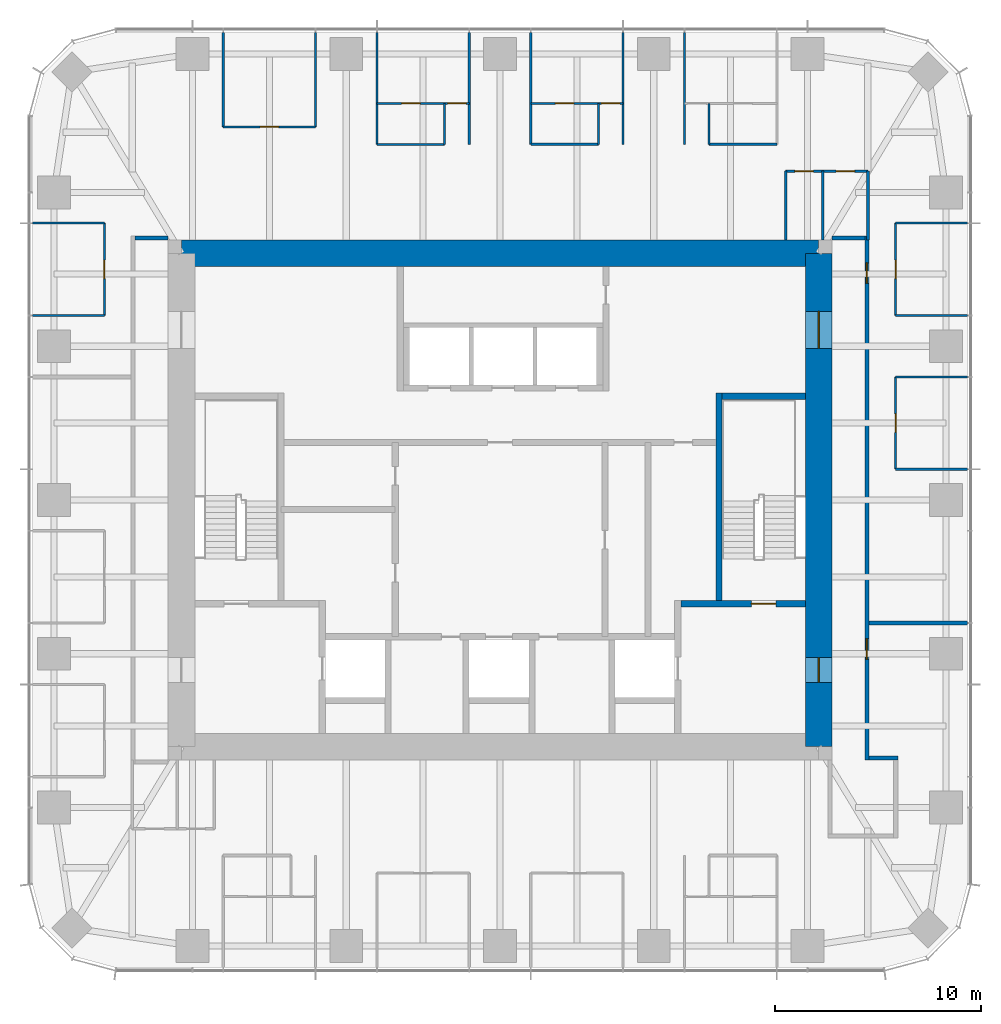
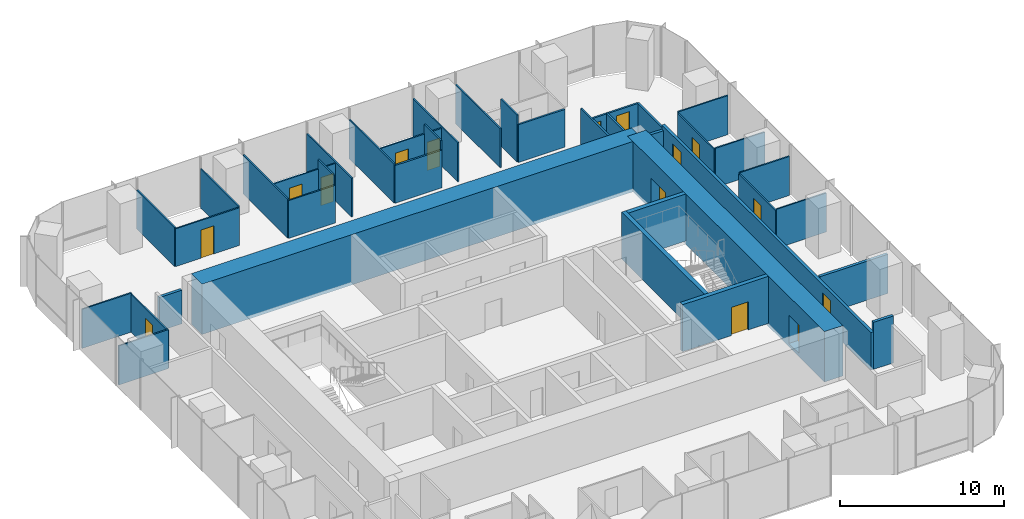
# One storey, part 10 of 12: 39 walls, 15 doors, 15 openings.
"""IFC4 building model written with IfcOpenShell, lengths in metres."""

from ifc_helpers import new_model, si_unit, direction, frame, frame_2d, origin, place, context, subcontext, project, spatial, rectangle, extrude, material, layer, layer_set, type_object, element, fill, save


model = new_model("IFC4")

# Units and contexts
model_context = context("Model", 3, precision=1e-05, world=origin(), true_north=direction((0.0, 1.0)))
body_context = subcontext(model_context, "Body", "Model", "MODEL_VIEW")
ifc_project = project(units=[si_unit("LENGTHUNIT", "METRE"), si_unit("AREAUNIT", "SQUARE_METRE"), si_unit("VOLUMEUNIT", "CUBIC_METRE"), si_unit("PLANEANGLEUNIT", "RADIAN"), si_unit("MASSUNIT", "GRAM", prefix="KILO")], contexts=[model_context])

# Site, building, storey
site_placement = place(None, origin())
site = spatial("IfcSite", under=ifc_project, at=site_placement, CompositionType="ELEMENT")
building_placement = place(site_placement, origin())
building = spatial("IfcBuilding", under=site, at=building_placement, Name="Khuree Lantern Residences", CompositionType="ELEMENT")
storey_placement = place(building_placement, frame((0.0, 0.0, 345.75)))
storey = spatial("IfcBuildingStorey", under=building, at=storey_placement, Name="L87", CompositionType="ELEMENT", Elevation=345.75)

# Walls
ifc_material_1 = material(Name="Moisture-resistant gypsum board on steel studs", Category="steel")
ifc_layer_1 = layer(ifc_material_1, 0.125)
ifc_layer_set_1 = layer_set([ifc_layer_1], Name="BATHROOM WALL BTW125")
wall_type_1 = type_object("IfcWallType", Name="BATHROOM WALL BTW125", PredefinedType="PARTITIONING", material=ifc_layer_set_1)
wall_1_placement = place(storey_placement, frame((13.464111328125, 17.29638671875, 0.0), z_axis=(0.0, 0.0, 1.0), x_axis=(-1.0, 0.0, 0.0)))
element("IfcWall", 1, at=wall_1_placement, inside=storey, type_object=wall_type_1, Name="L87 BATHROOM WALL 01", PredefinedType="PARTITIONING", context=body_context, shape_type="SweptSolid", body=[
    extrude(rectangle(XDim=3.2880859375, YDim=0.125, at=frame_2d((1.64404296875, 0.0))), origin(), (0.0, 0.0, 1.0), 2.81005859375),
])
wall_2_placement = place(storey_placement, frame((4.783935546875, 17.29638671875, 0.0), z_axis=(0.0, 0.0, 1.0), x_axis=(-1.0, 0.0, 0.0)))
element("IfcWall", 2, at=wall_2_placement, inside=storey, type_object=wall_type_1, Name="L87 BATHROOM WALL 01", PredefinedType="PARTITIONING", context=body_context, shape_type="SweptSolid", body=[
    extrude(rectangle(XDim=3.287841796875, YDim=0.125, at=frame_2d((1.64404296875, 0.0))), origin(), (0.0, 0.0, 1.0), 2.81005859375),
])

# Wall, openings, doors
wall_3_placement = place(storey_placement, frame((17.89990234375, 15.996337890625, 0.0), z_axis=(0.0, 0.0, 1.0), x_axis=(-1.0, 0.0, 0.0)))
wall_3 = element("IfcWall", 3, at=wall_3_placement, inside=storey, type_object=wall_type_1, Name="L87 BATHROOM WALL 01", PredefinedType="PARTITIONING", context=body_context, shape_type="SweptSolid", body=[
    extrude(rectangle(XDim=4.0, YDim=0.125, at=frame_2d((2.0, 0.0))), origin(), (0.0, 0.0, 1.0), 2.5),
])
opening_1_placement = place(wall_3_placement, frame((0.64990234375, 0.0, 0.0)))
opening_1 = element("IfcOpeningElement", 4, at=opening_1_placement, cuts=wall_3, Name="Opening 87-031", PredefinedType="OPENING", context=body_context, shape_type="SweptSolid", body=[
    extrude(rectangle(XDim=0.89990234375, YDim=2.10009765625, at=frame_2d((0.449951171875, 1.050048828125))), frame((0.0, 0.072509765625, 0.0), z_axis=(0.0, -1.0, 0.0), x_axis=(1.0, 0.0, 0.0)), (0.0, 0.0, 1.0), 0.14501953125),
])
opening_2_placement = place(wall_3_placement, frame((2.64990234375, 0.0, 0.0)))
opening_2 = element("IfcOpeningElement", 5, at=opening_2_placement, cuts=wall_3, Name="Opening 87-032", PredefinedType="OPENING", context=body_context, shape_type="SweptSolid", body=[
    extrude(rectangle(XDim=0.89990234375, YDim=2.10009765625, at=frame_2d((0.449951171875, 1.050048828125))), frame((0.0, 0.072509765625, 0.0), z_axis=(0.0, -1.0, 0.0), x_axis=(1.0, 0.0, 0.0)), (0.0, 0.0, 1.0), 0.14501953125),
])
ifc_material_2 = material(Name="Timber door leaf in hardwood frame", Category="wood")
door_type_1 = type_object("IfcDoorType", Name="BATHROOM DOOR 900X2100", OperationType="SINGLE_SWING_LEFT", PredefinedType="DOOR", material=ifc_material_2)
door_1_placement = place(opening_1_placement, origin())
door_1 = element("IfcDoor", 6, at=door_1_placement, inside=storey, type_object=door_type_1, Name="Bathroom door 87-031", OperationType="SINGLE_SWING_LEFT", OverallHeight=2.10009765625, OverallWidth=0.89990234375, PredefinedType="DOOR", context=body_context, shape_type="SweptSolid", body=[
    extrude(rectangle(XDim=0.89990234375, YDim=2.10009765625, at=frame_2d((0.449951171875, 1.050048828125))), frame((0.0, 0.02490234375, 0.0), z_axis=(0.0, -1.0, 0.0), x_axis=(1.0, 0.0, 0.0)), (0.0, 0.0, 1.0), 0.050048828125),
])
fill(opening_1, door_1)
door_type_2 = type_object("IfcDoorType", Name="DOOR 900X2100", OperationType="SINGLE_SWING_LEFT", PredefinedType="DOOR", material=ifc_material_2)
door_2_placement = place(opening_2_placement, origin())
door_2 = element("IfcDoor", 7, at=door_2_placement, inside=storey, type_object=door_type_2, Name="Store door 87-032", OperationType="SINGLE_SWING_LEFT", OverallHeight=2.10009765625, OverallWidth=0.89990234375, PredefinedType="DOOR", context=body_context, shape_type="SweptSolid", body=[
    extrude(rectangle(XDim=0.89990234375, YDim=2.10009765625, at=frame_2d((0.449951171875, 1.050048828125))), frame((0.0, 0.02490234375, 0.0), z_axis=(0.0, -1.0, 0.0), x_axis=(1.0, 0.0, 0.0)), (0.0, 0.0, 1.0), 0.050048828125),
])
fill(opening_2, door_2)

# Walls
for number, where, z_axis, x_axis, name in (
    (8, (17.89990234375, 12.64990234375, 0.0), (0.0, 0.0, 1.0), (0.0, 1.0, 0.0), "L87 BATHROOM WALL 01"),
    (9, (15.699951171875, 12.64990234375, 0.0), (0.0, 0.0, 1.0), (0.0, 1.0, 0.0), "L87 BATHROOM WALL 01"),
):
    element("IfcWall", number, at=place(storey_placement, frame(where, z_axis=z_axis, x_axis=x_axis)), inside=storey, type_object=wall_type_1, Name=name, PredefinedType="PARTITIONING", context=body_context, shape_type="SweptSolid", body=[
        extrude(rectangle(XDim=3.346435546875, YDim=0.125, at=frame_2d((1.67333984375, 0.0))), origin(), (0.0, 0.0, 1.0), 2.5),
    ])
wall_4_placement = place(storey_placement, frame((13.89990234375, 12.64990234375, 0.0), z_axis=(0.0, 0.0, 1.0), x_axis=(0.0, 1.0, 0.0)))
element("IfcWall", 10, at=wall_4_placement, inside=storey, type_object=wall_type_1, Name="L87 BATHROOM WALL 01", PredefinedType="PARTITIONING", context=body_context, shape_type="SweptSolid", body=[
    extrude(rectangle(XDim=3.346435546875, YDim=0.125, at=frame_2d((1.67333984375, 0.0))), origin(), (0.0, 0.0, 1.0), 3.5),
])
ifc_material_3 = material(Name="Gypsum board on steel studs", Category="steel")
ifc_layer_2 = layer(ifc_material_3, 0.199951171875)
ifc_layer_set_2 = layer_set([ifc_layer_2], Name="CORRIDOR WALL CRW200 EI 60")
wall_type_2 = type_object("IfcWallType", Name="CORRIDOR WALL CRW200 EI 60", PredefinedType="PARTITIONING", material=ifc_layer_set_2)
wall_5_placement = place(storey_placement, frame((17.949951171875, -12.550048828125, 0.0), z_axis=(0.0, 0.0, 1.0), x_axis=(1.0, 0.0, 0.0)))
element("IfcWall", 11, at=wall_5_placement, inside=storey, type_object=wall_type_2, Name="L87 RESIDENTS LOUNGE WALL", PredefinedType="PARTITIONING", context=body_context, shape_type="SweptSolid", body=[
    extrude(rectangle(XDim=1.400146484375, YDim=0.199951171875, at=frame_2d((0.7001953125, 0.0))), origin(), (0.0, 0.0, 1.0), 3.5),
])
for number, where, z_axis, x_axis, name in (
    (12, (16.14990234375, 12.75, 0.0), (0.0, 0.0, 1.0), (1.0, 0.0, 0.0), "L87 EAST CORRIDOR NORTH END WALL"),
    (13, (-16.14990234375, 12.75, 0.0), (0.0, 0.0, 1.0), (-1.0, 0.0, 0.0), "L87 WEST CORRIDOR NORTH END WALL"),
):
    element("IfcWall", number, at=place(storey_placement, frame(where, z_axis=z_axis, x_axis=x_axis)), inside=storey, type_object=wall_type_2, Name=name, PredefinedType="PARTITIONING", context=body_context, shape_type="SweptSolid", body=[
        extrude(rectangle(XDim=1.60009765625, YDim=0.199951171875, at=frame_2d((0.800048828125, 0.0))), origin(), (0.0, 0.0, 1.0), 2.5),
    ])

# Wall, openings, doors
wall_6_placement = place(storey_placement, frame((17.85009765625, -12.64990234375, 0.0), z_axis=(0.0, 0.0, 1.0), x_axis=(0.0, 1.0, 0.0)))
wall_6 = element("IfcWall", 14, at=wall_6_placement, inside=storey, type_object=wall_type_2, Name="L87 CORRIDOR WALL EAST 1", PredefinedType="PARTITIONING", context=body_context, shape_type="SweptSolid", body=[
    extrude(rectangle(XDim=25.5, YDim=0.199951171875, at=frame_2d((12.75, 0.0))), origin(), (0.0, 0.0, 1.0), 2.81005859375),
])
opening_3_placement = place(wall_6_placement, frame((23.18603515625, 0.0, 0.0)))
opening_3 = element("IfcOpeningElement", 15, at=opening_3_placement, cuts=wall_6, Name="Opening 87-033", PredefinedType="OPENING", context=body_context, shape_type="SweptSolid", body=[
    extrude(rectangle(XDim=1.0, YDim=2.199951171875, at=frame_2d((0.5, 1.10009765625))), frame((0.0, 0.10986328125, 0.0), z_axis=(0.0, -1.0, 0.0), x_axis=(1.0, 0.0, 0.0)), (0.0, 0.0, 1.0), 0.219970703125),
])
opening_4_placement = place(wall_6_placement, frame((4.89990234375, 0.0, 0.0)))
opening_4 = element("IfcOpeningElement", 16, at=opening_4_placement, cuts=wall_6, Name="Opening 87-044", PredefinedType="OPENING", context=body_context, shape_type="SweptSolid", body=[
    extrude(rectangle(XDim=1.0, YDim=2.199951171875, at=frame_2d((0.5, 1.10009765625))), frame((0.0, 0.10986328125, 0.0), z_axis=(0.0, -1.0, 0.0), x_axis=(1.0, 0.0, 0.0)), (0.0, 0.0, 1.0), 0.219970703125),
])
door_type_3 = type_object("IfcDoorType", Name="APARTMENT ENTRANCE DOOR 1000X2200 EI 30S", OperationType="SINGLE_SWING_LEFT", PredefinedType="DOOR", material=ifc_material_2)
door_3_placement = place(opening_4_placement, origin())
door_3 = element("IfcDoor", 17, at=door_3_placement, inside=storey, type_object=door_type_3, Name="Apartment 02 entrance door 87-044", OperationType="SINGLE_SWING_LEFT", OverallHeight=2.199951171875, OverallWidth=1.0, PredefinedType="DOOR", context=body_context, shape_type="SweptSolid", body=[
    extrude(rectangle(XDim=1.0, YDim=2.199951171875, at=frame_2d((0.5, 1.10009765625))), frame((0.0, 0.02490234375, 0.0), z_axis=(0.0, -1.0, 0.0), x_axis=(1.0, 0.0, 0.0)), (0.0, 0.0, 1.0), 0.050048828125),
])
fill(opening_4, door_3)
door_type_4 = type_object("IfcDoorType", Name="APARTMENT ENTRANCE DOOR 1000X2200 EI 30S RIGHT HAND", OperationType="SINGLE_SWING_RIGHT", PredefinedType="DOOR", material=ifc_material_2)
door_4_placement = place(opening_3_placement, origin())
door_4 = element("IfcDoor", 18, at=door_4_placement, inside=storey, type_object=door_type_4, Name="Apartment 01 entrance door 87-033", OperationType="SINGLE_SWING_RIGHT", OverallHeight=2.199951171875, OverallWidth=1.0, PredefinedType="DOOR", context=body_context, shape_type="SweptSolid", body=[
    extrude(rectangle(XDim=1.0, YDim=2.199951171875, at=frame_2d((0.5, 1.10009765625))), frame((0.0, 0.02490234375, 0.0), z_axis=(0.0, -1.0, 0.0), x_axis=(1.0, 0.0, 0.0)), (0.0, 0.0, 1.0), 0.050048828125),
])
fill(opening_3, door_4)

ifc_material_4 = material(Name="Concrete C50/60", Category="concrete")
ifc_layer_3 = layer(ifc_material_4, 1.300048828125)
ifc_layer_set_3 = layer_set([ifc_layer_3], Name="CW1300-C50 CORE WALL C50 1300")
wall_type_3 = type_object("IfcWallType", Name="CW1300-C50 CORE WALL C50 1300", PredefinedType="SHEAR", material=ifc_layer_set_3)
wall_7_placement = place(storey_placement, frame((15.5, -12.0, -0.25), z_axis=(0.0, 0.0, 1.0), x_axis=(0.0, 1.0, 0.0)))
wall_7 = element("IfcWall", 19, at=wall_7_placement, inside=storey, type_object=wall_type_3, Name="Core wall E", PredefinedType="SHEAR", context=body_context, shape_type="SweptSolid", body=[
    extrude(rectangle(XDim=24.0, YDim=1.300048828125, at=frame_2d((12.0, 0.0))), origin(), (0.0, 0.0, 1.0), 3.75),
])
opening_5_placement = place(wall_7_placement, frame((3.125, 0.0, 0.25)))
opening_5 = element("IfcOpeningElement", 20, at=opening_5_placement, cuts=wall_7, Name="Opening 87-005", PredefinedType="OPENING", context=body_context, shape_type="SweptSolid", body=[
    extrude(rectangle(XDim=1.199951171875, YDim=2.10009765625, at=frame_2d((0.60009765625, 1.050048828125))), frame((0.0, 0.66015625, 0.0), z_axis=(0.0, -1.0, 0.0), x_axis=(1.0, 0.0, 0.0)), (0.0, 0.0, 1.0), 1.320068359375),
])
opening_6_placement = place(wall_7_placement, frame((19.375, 0.0, 0.25)))
opening_6 = element("IfcOpeningElement", 21, at=opening_6_placement, cuts=wall_7, Name="Opening 87-006", PredefinedType="OPENING", context=body_context, shape_type="SweptSolid", body=[
    extrude(rectangle(XDim=1.800048828125, YDim=2.10009765625, at=frame_2d((0.89990234375, 1.050048828125))), frame((0.0, 0.66015625, 0.0), z_axis=(0.0, -1.0, 0.0), x_axis=(1.0, 0.0, 0.0)), (0.0, 0.0, 1.0), 1.320068359375),
])
ifc_material_5 = material(Name="Steel door leaf in steel frame", Category="steel")
door_type_5 = type_object("IfcDoorType", Name="LOBBY DOOR 1200X2100 EI 120", OperationType="SINGLE_SWING_LEFT", PredefinedType="DOOR", material=ifc_material_5)
door_5_placement = place(opening_5_placement, origin())
door_5 = element("IfcDoor", 22, at=door_5_placement, inside=storey, type_object=door_type_5, Name="Firefighting lobby door 87-005", OperationType="SINGLE_SWING_LEFT", OverallHeight=2.10009765625, OverallWidth=1.199951171875, PredefinedType="DOOR", context=body_context, shape_type="SweptSolid", body=[
    extrude(rectangle(XDim=1.199951171875, YDim=2.10009765625, at=frame_2d((0.60009765625, 1.050048828125))), frame((0.0, 0.02490234375, 0.0), z_axis=(0.0, -1.0, 0.0), x_axis=(1.0, 0.0, 0.0)), (0.0, 0.0, 1.0), 0.050048828125),
])
fill(opening_5, door_5)
door_type_6 = type_object("IfcDoorType", Name="LOBBY DOUBLE DOOR 1800X2100 EI 60", OperationType="DOUBLE_DOOR_SINGLE_SWING", PredefinedType="DOOR", material=ifc_material_5)
door_6_placement = place(opening_6_placement, origin())
door_6 = element("IfcDoor", 23, at=door_6_placement, inside=storey, type_object=door_type_6, Name="Lift lobby door 87-006", OperationType="DOUBLE_DOOR_SINGLE_SWING", OverallHeight=2.10009765625, OverallWidth=1.800048828125, PredefinedType="DOOR", context=body_context, shape_type="SweptSolid", body=[
    extrude(rectangle(XDim=1.800048828125, YDim=2.10009765625, at=frame_2d((0.89990234375, 1.050048828125))), frame((0.0, 0.02490234375, 0.0), z_axis=(0.0, -1.0, 0.0), x_axis=(1.0, 0.0, 0.0)), (0.0, 0.0, 1.0), 0.050048828125),
])
fill(opening_6, door_6)

# Walls
wall_8_placement = place(storey_placement, frame((-15.5, 12.0, -0.25), z_axis=(0.0, 0.0, 1.0), x_axis=(1.0, 0.0, 0.0)))
element("IfcWall", 24, at=wall_8_placement, inside=storey, type_object=wall_type_3, Name="Core wall N", PredefinedType="SHEAR", context=body_context, shape_type="SweptSolid", body=[
    extrude(rectangle(XDim=31.0, YDim=1.300048828125, at=frame_2d((15.5, 0.0))), origin(), (0.0, 0.0, 1.0), 3.75),
])
ifc_layer_4 = layer(ifc_material_3, 0.199951171875)
ifc_layer_set_4 = layer_set([ifc_layer_4], Name="DEMISING WALL DMW200 EI 90")
wall_type_4 = type_object("IfcWallType", Name="DEMISING WALL DMW200 EI 90", PredefinedType="PARTITIONING", material=ifc_layer_set_4)
wall_9_placement = place(storey_placement, frame((17.949951171875, -5.98388671875, 0.0), z_axis=(0.0, 0.0, 1.0), x_axis=(1.0, 0.0, 0.0)))
element("IfcWall", 25, at=wall_9_placement, inside=storey, type_object=wall_type_4, Name="L87 DEMISING WALL 01", PredefinedType="PARTITIONING", context=body_context, shape_type="SweptSolid", body=[
    extrude(rectangle(XDim=4.800048828125, YDim=0.199951171875, at=frame_2d((2.39990234375, 0.0))), origin(), (0.0, 0.0, 1.0), 2.909912109375),
])
ifc_layer_5 = layer(ifc_material_3, 0.10009765625)
ifc_layer_set_5 = layer_set([ifc_layer_5], Name="PARTITION PT100")
wall_type_5 = type_object("IfcWallType", Name="PARTITION PT100", PredefinedType="PARTITIONING", material=ifc_layer_set_5)
for number, where, z_axis, x_axis, name in (
    (26, (19.25, 1.49609375, 0.0), (0.0, 0.0, 1.0), (1.0, 0.0, 0.0), "L87 PARTITION 01"),
    (27, (19.25, 5.98388671875, 0.0), (0.0, 0.0, 1.0), (1.0, 0.0, 0.0), "L87 PARTITION 01"),
    (28, (19.25, 8.97607421875, 0.0), (0.0, 0.0, 1.0), (1.0, 0.0, 0.0), "L87 PARTITION 01"),
    (29, (19.25, 13.464111328125, 0.0), (0.0, 0.0, 1.0), (1.0, 0.0, 0.0), "L87 PARTITION 01"),
):
    element("IfcWall", number, at=place(storey_placement, frame(where, z_axis=z_axis, x_axis=x_axis)), inside=storey, type_object=wall_type_5, Name=name, PredefinedType="PARTITIONING", context=body_context, shape_type="SweptSolid", body=[
        extrude(rectangle(XDim=3.5, YDim=0.10009765625, at=frame_2d((1.75, 0.0))), origin(), (0.0, 0.0, 1.0), 2.909912109375),
    ])
for number, where, z_axis, x_axis, name in (
    (30, (8.97607421875, 17.29638671875, 0.0), (0.0, 0.0, 1.0), (0.0, 1.0, 0.0), "L87 PARTITION 01"),
    (31, (5.98388671875, 17.29638671875, 0.0), (0.0, 0.0, 1.0), (0.0, 1.0, 0.0), "L87 PARTITION 01"),
    (32, (1.49609375, 17.29638671875, 0.0), (0.0, 0.0, 1.0), (0.0, 1.0, 0.0), "L87 PARTITION 01"),
    (33, (-1.49609375, 17.29638671875, 0.0), (0.0, 0.0, 1.0), (0.0, 1.0, 0.0), "L87 PARTITION 01"),
    (34, (-5.98388671875, 17.29638671875, 0.0), (0.0, 0.0, 1.0), (0.0, 1.0, 0.0), "L87 PARTITION 01"),
):
    element("IfcWall", number, at=place(storey_placement, frame(where, z_axis=z_axis, x_axis=x_axis)), inside=storey, type_object=wall_type_5, Name=name, PredefinedType="PARTITIONING", context=body_context, shape_type="SweptSolid", body=[
        extrude(rectangle(XDim=5.45361328125, YDim=0.10009765625, at=frame_2d((2.726806640625, 0.0))), origin(), (0.0, 0.0, 1.0), 2.909912109375),
    ])
for number, where, z_axis, x_axis, name in (
    (35, (-8.97607421875, 18.14990234375, 0.0), (0.0, 0.0, 1.0), (0.0, 1.0, 0.0), "L87 PARTITION 01"),
    (36, (-13.464111328125, 18.14990234375, 0.0), (0.0, 0.0, 1.0), (0.0, 1.0, 0.0), "L87 PARTITION 01"),
):
    element("IfcWall", number, at=place(storey_placement, frame(where, z_axis=z_axis, x_axis=x_axis)), inside=storey, type_object=wall_type_5, Name=name, PredefinedType="PARTITIONING", context=body_context, shape_type="SweptSolid", body=[
        extrude(rectangle(XDim=4.60009765625, YDim=0.10009765625, at=frame_2d((2.300048828125, 0.0))), origin(), (0.0, 0.0, 1.0), 2.909912109375),
    ])
for number, where, z_axis, x_axis, name in (
    (37, (-19.25, 13.464111328125, 0.0), (0.0, 0.0, 1.0), (-1.0, 0.0, 0.0), "L87 PARTITION 01"),
    (38, (-19.25, 8.97607421875, 0.0), (0.0, 0.0, 1.0), (-1.0, 0.0, 0.0), "L87 PARTITION 01"),
):
    element("IfcWall", number, at=place(storey_placement, frame(where, z_axis=z_axis, x_axis=x_axis)), inside=storey, type_object=wall_type_5, Name=name, PredefinedType="PARTITIONING", context=body_context, shape_type="SweptSolid", body=[
        extrude(rectangle(XDim=3.5, YDim=0.10009765625, at=frame_2d((1.75, 0.0))), origin(), (0.0, 0.0, 1.0), 2.909912109375),
    ])

# Wall, opening, door
wall_10_placement = place(storey_placement, frame((19.25, 1.49609375, 0.0), z_axis=(0.0, 0.0, 1.0), x_axis=(0.0, 1.0, 0.0)))
wall_10 = element("IfcWall", 39, at=wall_10_placement, inside=storey, type_object=wall_type_5, Name="L87 PARTITION 01", PredefinedType="PARTITIONING", context=body_context, shape_type="SweptSolid", body=[
    extrude(rectangle(XDim=4.48779296875, YDim=0.10009765625, at=frame_2d((2.243896484375, 0.0))), origin(), (0.0, 0.0, 1.0), 2.81005859375),
])
opening_7_placement = place(wall_10_placement, frame((1.7939453125, 0.0, 0.0)))
opening_7 = element("IfcOpeningElement", 40, at=opening_7_placement, cuts=wall_10, Name="Opening 87-021", PredefinedType="OPENING", context=body_context, shape_type="SweptSolid", body=[
    extrude(rectangle(XDim=0.89990234375, YDim=2.10009765625, at=frame_2d((0.449951171875, 1.050048828125))), frame((0.0, 0.06005859375, 0.0), z_axis=(0.0, -1.0, 0.0), x_axis=(1.0, 0.0, 0.0)), (0.0, 0.0, 1.0), 0.1201171875),
])
door_type_7 = type_object("IfcDoorType", Name="BEDROOM DOOR 900X2100", OperationType="SINGLE_SWING_LEFT", PredefinedType="DOOR", material=ifc_material_2)
door_7_placement = place(opening_7_placement, origin())
door_7 = element("IfcDoor", 41, at=door_7_placement, inside=storey, type_object=door_type_7, Name="Bedroom door 87-021", OperationType="SINGLE_SWING_LEFT", OverallHeight=2.10009765625, OverallWidth=0.89990234375, PredefinedType="DOOR", context=body_context, shape_type="SweptSolid", body=[
    extrude(rectangle(XDim=0.89990234375, YDim=2.10009765625, at=frame_2d((0.449951171875, 1.050048828125))), frame((0.0, 0.02490234375, 0.0), z_axis=(0.0, -1.0, 0.0), x_axis=(1.0, 0.0, 0.0)), (0.0, 0.0, 1.0), 0.050048828125),
])
fill(opening_7, door_7)

wall_11_placement = place(storey_placement, frame((19.25, 8.97607421875, 0.0), z_axis=(0.0, 0.0, 1.0), x_axis=(0.0, 1.0, 0.0)))
wall_11 = element("IfcWall", 42, at=wall_11_placement, inside=storey, type_object=wall_type_5, Name="L87 PARTITION 01", PredefinedType="PARTITIONING", context=body_context, shape_type="SweptSolid", body=[
    extrude(rectangle(XDim=4.488037109375, YDim=0.10009765625, at=frame_2d((2.244140625, 0.0))), origin(), (0.0, 0.0, 1.0), 2.81005859375),
])
opening_8_placement = place(wall_11_placement, frame((1.7939453125, 0.0, 0.0)))
opening_8 = element("IfcOpeningElement", 43, at=opening_8_placement, cuts=wall_11, Name="Opening 87-022", PredefinedType="OPENING", context=body_context, shape_type="SweptSolid", body=[
    extrude(rectangle(XDim=0.89990234375, YDim=2.10009765625, at=frame_2d((0.449951171875, 1.050048828125))), frame((0.0, 0.06005859375, 0.0), z_axis=(0.0, -1.0, 0.0), x_axis=(1.0, 0.0, 0.0)), (0.0, 0.0, 1.0), 0.1201171875),
])
door_8_placement = place(opening_8_placement, origin())
door_8 = element("IfcDoor", 44, at=door_8_placement, inside=storey, type_object=door_type_7, Name="Bedroom door 87-022", OperationType="SINGLE_SWING_LEFT", OverallHeight=2.10009765625, OverallWidth=0.89990234375, PredefinedType="DOOR", context=body_context, shape_type="SweptSolid", body=[
    extrude(rectangle(XDim=0.89990234375, YDim=2.10009765625, at=frame_2d((0.449951171875, 1.050048828125))), frame((0.0, 0.02490234375, 0.0), z_axis=(0.0, -1.0, 0.0), x_axis=(1.0, 0.0, 0.0)), (0.0, 0.0, 1.0), 0.050048828125),
])
fill(opening_8, door_8)

# Wall
wall_12_placement = place(storey_placement, frame((10.176025390625, 17.29638671875, 0.0), z_axis=(0.0, 0.0, 1.0), x_axis=(0.0, 1.0, 0.0)))
element("IfcWall", 45, at=wall_12_placement, inside=storey, type_object=wall_type_5, Name="L87 PARTITION 01", PredefinedType="PARTITIONING", context=body_context, shape_type="SweptSolid", body=[
    extrude(rectangle(XDim=2.0, YDim=0.10009765625, at=frame_2d((1.0, 0.0))), origin(), (0.0, 0.0, 1.0), 3.5),
])

# Wall, openings, doors
wall_13_placement = place(storey_placement, frame((5.98388671875, 19.29638671875, 0.0), z_axis=(0.0, 0.0, 1.0), x_axis=(-1.0, 0.0, 0.0)))
wall_13 = element("IfcWall", 46, at=wall_13_placement, inside=storey, type_object=wall_type_5, Name="L87 PARTITION 01", PredefinedType="PARTITIONING", context=body_context, shape_type="SweptSolid", body=[
    extrude(rectangle(XDim=4.48779296875, YDim=0.10009765625, at=frame_2d((2.243896484375, 0.0))), origin(), (0.0, 0.0, 1.0), 2.81005859375),
])
opening_9_placement = place(wall_13_placement, frame((0.14990234375, 0.0, 0.0)))
opening_9 = element("IfcOpeningElement", 47, at=opening_9_placement, cuts=wall_13, Name="Opening 87-025", PredefinedType="OPENING", context=body_context, shape_type="SweptSolid", body=[
    extrude(rectangle(XDim=0.89990234375, YDim=2.10009765625, at=frame_2d((0.449951171875, 1.050048828125))), frame((0.0, 0.06005859375, 0.0), z_axis=(0.0, -1.0, 0.0), x_axis=(1.0, 0.0, 0.0)), (0.0, 0.0, 1.0), 0.1201171875),
])
opening_10_placement = place(wall_13_placement, frame((2.39404296875, 0.0, 0.0)))
opening_10 = element("IfcOpeningElement", 48, at=opening_10_placement, cuts=wall_13, Name="Opening 87-026", PredefinedType="OPENING", context=body_context, shape_type="SweptSolid", body=[
    extrude(rectangle(XDim=0.89990234375, YDim=2.10009765625, at=frame_2d((0.449951171875, 1.050048828125))), frame((0.0, 0.06005859375, 0.0), z_axis=(0.0, -1.0, 0.0), x_axis=(1.0, 0.0, 0.0)), (0.0, 0.0, 1.0), 0.1201171875),
])
door_9_placement = place(opening_10_placement, origin())
door_9 = element("IfcDoor", 49, at=door_9_placement, inside=storey, type_object=door_type_1, Name="Bathroom door 87-026", OperationType="SINGLE_SWING_LEFT", OverallHeight=2.10009765625, OverallWidth=0.89990234375, PredefinedType="DOOR", context=body_context, shape_type="SweptSolid", body=[
    extrude(rectangle(XDim=0.89990234375, YDim=2.10009765625, at=frame_2d((0.449951171875, 1.050048828125))), frame((0.0, 0.02490234375, 0.0), z_axis=(0.0, -1.0, 0.0), x_axis=(1.0, 0.0, 0.0)), (0.0, 0.0, 1.0), 0.050048828125),
])
fill(opening_10, door_9)
door_10_placement = place(opening_9_placement, origin())
door_10 = element("IfcDoor", 50, at=door_10_placement, inside=storey, type_object=door_type_7, Name="Bedroom door 87-025", OperationType="SINGLE_SWING_LEFT", OverallHeight=2.10009765625, OverallWidth=0.89990234375, PredefinedType="DOOR", context=body_context, shape_type="SweptSolid", body=[
    extrude(rectangle(XDim=0.89990234375, YDim=2.10009765625, at=frame_2d((0.449951171875, 1.050048828125))), frame((0.0, 0.02490234375, 0.0), z_axis=(0.0, -1.0, 0.0), x_axis=(1.0, 0.0, 0.0)), (0.0, 0.0, 1.0), 0.050048828125),
])
fill(opening_9, door_10)

# Wall
wall_14_placement = place(storey_placement, frame((4.783935546875, 17.29638671875, 0.0), z_axis=(0.0, 0.0, 1.0), x_axis=(0.0, 1.0, 0.0)))
element("IfcWall", 51, at=wall_14_placement, inside=storey, type_object=wall_type_5, Name="L87 PARTITION 01", PredefinedType="PARTITIONING", context=body_context, shape_type="SweptSolid", body=[
    extrude(rectangle(XDim=2.0, YDim=0.10009765625, at=frame_2d((1.0, 0.0))), origin(), (0.0, 0.0, 1.0), 3.5),
])

# Wall, openings, doors
wall_15_placement = place(storey_placement, frame((-1.49609375, 19.29638671875, 0.0), z_axis=(0.0, 0.0, 1.0), x_axis=(-1.0, 0.0, 0.0)))
wall_15 = element("IfcWall", 52, at=wall_15_placement, inside=storey, type_object=wall_type_5, Name="L87 PARTITION 01", PredefinedType="PARTITIONING", context=body_context, shape_type="SweptSolid", body=[
    extrude(rectangle(XDim=4.48779296875, YDim=0.10009765625, at=frame_2d((2.243896484375, 0.0))), origin(), (0.0, 0.0, 1.0), 2.81005859375),
])
opening_11_placement = place(wall_15_placement, frame((0.14990234375, 0.0, 0.0)))
opening_11 = element("IfcOpeningElement", 53, at=opening_11_placement, cuts=wall_15, Name="Opening 87-027", PredefinedType="OPENING", context=body_context, shape_type="SweptSolid", body=[
    extrude(rectangle(XDim=0.89990234375, YDim=2.10009765625, at=frame_2d((0.449951171875, 1.050048828125))), frame((0.0, 0.06005859375, 0.0), z_axis=(0.0, -1.0, 0.0), x_axis=(1.0, 0.0, 0.0)), (0.0, 0.0, 1.0), 0.1201171875),
])
opening_12_placement = place(wall_15_placement, frame((2.39404296875, 0.0, 0.0)))
opening_12 = element("IfcOpeningElement", 54, at=opening_12_placement, cuts=wall_15, Name="Opening 87-028", PredefinedType="OPENING", context=body_context, shape_type="SweptSolid", body=[
    extrude(rectangle(XDim=0.89990234375, YDim=2.10009765625, at=frame_2d((0.449951171875, 1.050048828125))), frame((0.0, 0.06005859375, 0.0), z_axis=(0.0, -1.0, 0.0), x_axis=(1.0, 0.0, 0.0)), (0.0, 0.0, 1.0), 0.1201171875),
])
door_11_placement = place(opening_11_placement, origin())
door_11 = element("IfcDoor", 55, at=door_11_placement, inside=storey, type_object=door_type_7, Name="Bedroom door 87-027", OperationType="SINGLE_SWING_LEFT", OverallHeight=2.10009765625, OverallWidth=0.89990234375, PredefinedType="DOOR", context=body_context, shape_type="SweptSolid", body=[
    extrude(rectangle(XDim=0.89990234375, YDim=2.10009765625, at=frame_2d((0.449951171875, 1.050048828125))), frame((0.0, 0.02490234375, 0.0), z_axis=(0.0, -1.0, 0.0), x_axis=(1.0, 0.0, 0.0)), (0.0, 0.0, 1.0), 0.050048828125),
])
fill(opening_11, door_11)
door_12_placement = place(opening_12_placement, origin())
door_12 = element("IfcDoor", 56, at=door_12_placement, inside=storey, type_object=door_type_2, Name="Wardrobe door 87-028", OperationType="SINGLE_SWING_LEFT", OverallHeight=2.10009765625, OverallWidth=0.89990234375, PredefinedType="DOOR", context=body_context, shape_type="SweptSolid", body=[
    extrude(rectangle(XDim=0.89990234375, YDim=2.10009765625, at=frame_2d((0.449951171875, 1.050048828125))), frame((0.0, 0.02490234375, 0.0), z_axis=(0.0, -1.0, 0.0), x_axis=(1.0, 0.0, 0.0)), (0.0, 0.0, 1.0), 0.050048828125),
])
fill(opening_12, door_12)

# Walls
wall_16_placement = place(storey_placement, frame((-2.696044921875, 17.29638671875, 0.0), z_axis=(0.0, 0.0, 1.0), x_axis=(0.0, 1.0, 0.0)))
element("IfcWall", 57, at=wall_16_placement, inside=storey, type_object=wall_type_5, Name="L87 PARTITION 01", PredefinedType="PARTITIONING", context=body_context, shape_type="SweptSolid", body=[
    extrude(rectangle(XDim=2.0, YDim=0.10009765625, at=frame_2d((1.0, 0.0))), origin(), (0.0, 0.0, 1.0), 3.5),
])
wall_17_placement = place(storey_placement, frame((-2.696044921875, 17.29638671875, 0.0), z_axis=(0.0, 0.0, 1.0), x_axis=(-1.0, 0.0, 0.0)))
element("IfcWall", 58, at=wall_17_placement, inside=storey, type_object=wall_type_5, Name="L87 PARTITION 01", PredefinedType="PARTITIONING", context=body_context, shape_type="SweptSolid", body=[
    extrude(rectangle(XDim=3.287841796875, YDim=0.10009765625, at=frame_2d((1.64404296875, 0.0))), origin(), (0.0, 0.0, 1.0), 2.81005859375),
])

# Wall, opening, door
wall_18_placement = place(storey_placement, frame((-8.97607421875, 18.14990234375, 0.0), z_axis=(0.0, 0.0, 1.0), x_axis=(-1.0, 0.0, 0.0)))
wall_18 = element("IfcWall", 59, at=wall_18_placement, inside=storey, type_object=wall_type_5, Name="L87 PARTITION 01", PredefinedType="PARTITIONING", context=body_context, shape_type="SweptSolid", body=[
    extrude(rectangle(XDim=4.488037109375, YDim=0.10009765625, at=frame_2d((2.244140625, 0.0))), origin(), (0.0, 0.0, 1.0), 2.81005859375),
])
opening_13_placement = place(wall_18_placement, frame((1.7939453125, 0.0, 0.0)))
opening_13 = element("IfcOpeningElement", 60, at=opening_13_placement, cuts=wall_18, Name="Opening 87-029", PredefinedType="OPENING", context=body_context, shape_type="SweptSolid", body=[
    extrude(rectangle(XDim=0.89990234375, YDim=2.10009765625, at=frame_2d((0.449951171875, 1.050048828125))), frame((0.0, 0.06005859375, 0.0), z_axis=(0.0, -1.0, 0.0), x_axis=(1.0, 0.0, 0.0)), (0.0, 0.0, 1.0), 0.1201171875),
])
door_13_placement = place(opening_13_placement, origin())
door_13 = element("IfcDoor", 61, at=door_13_placement, inside=storey, type_object=door_type_7, Name="Bedroom door 87-029", OperationType="SINGLE_SWING_LEFT", OverallHeight=2.10009765625, OverallWidth=0.89990234375, PredefinedType="DOOR", context=body_context, shape_type="SweptSolid", body=[
    extrude(rectangle(XDim=0.89990234375, YDim=2.10009765625, at=frame_2d((0.449951171875, 1.050048828125))), frame((0.0, 0.02490234375, 0.0), z_axis=(0.0, -1.0, 0.0), x_axis=(1.0, 0.0, 0.0)), (0.0, 0.0, 1.0), 0.050048828125),
])
fill(opening_13, door_13)

wall_19_placement = place(storey_placement, frame((-19.25, 13.464111328125, 0.0), z_axis=(0.0, 0.0, 1.0), x_axis=(0.0, -1.0, 0.0)))
wall_19 = element("IfcWall", 62, at=wall_19_placement, inside=storey, type_object=wall_type_5, Name="L87 PARTITION 01", PredefinedType="PARTITIONING", context=body_context, shape_type="SweptSolid", body=[
    extrude(rectangle(XDim=4.488037109375, YDim=0.10009765625, at=frame_2d((2.244140625, 0.0))), origin(), (0.0, 0.0, 1.0), 2.81005859375),
])
opening_14_placement = place(wall_19_placement, frame((1.7939453125, 0.0, 0.0)))
opening_14 = element("IfcOpeningElement", 63, at=opening_14_placement, cuts=wall_19, Name="Opening 87-030", PredefinedType="OPENING", context=body_context, shape_type="SweptSolid", body=[
    extrude(rectangle(XDim=0.89990234375, YDim=2.10009765625, at=frame_2d((0.449951171875, 1.050048828125))), frame((0.0, 0.06005859375, 0.0), z_axis=(0.0, -1.0, 0.0), x_axis=(1.0, 0.0, 0.0)), (0.0, 0.0, 1.0), 0.1201171875),
])
door_14_placement = place(opening_14_placement, origin())
door_14 = element("IfcDoor", 64, at=door_14_placement, inside=storey, type_object=door_type_7, Name="Bedroom door 87-030", OperationType="SINGLE_SWING_LEFT", OverallHeight=2.10009765625, OverallWidth=0.89990234375, PredefinedType="DOOR", context=body_context, shape_type="SweptSolid", body=[
    extrude(rectangle(XDim=0.89990234375, YDim=2.10009765625, at=frame_2d((0.449951171875, 1.050048828125))), frame((0.0, 0.02490234375, 0.0), z_axis=(0.0, -1.0, 0.0), x_axis=(1.0, 0.0, 0.0)), (0.0, 0.0, 1.0), 0.050048828125),
])
fill(opening_14, door_14)

# Wall
ifc_layer_6 = layer(ifc_material_4, 0.300048828125)
ifc_layer_set_6 = layer_set([ifc_layer_6], Name="STAIR WALL SRW300 C50/60 REI 240")
wall_type_6 = type_object("IfcWallType", Name="STAIR WALL SRW300 C50/60 REI 240", PredefinedType="SOLIDWALL", material=ifc_layer_set_6)
wall_20_placement = place(storey_placement, frame((10.64990234375, -4.89990234375, 0.0), z_axis=(0.0, 0.0, 1.0), x_axis=(0.0, 1.0, 0.0)))
element("IfcWall", 65, at=wall_20_placement, inside=storey, type_object=wall_type_6, Name="L87 STAIR WALL ST2E", PredefinedType="SOLIDWALL", context=body_context, shape_type="SweptSolid", body=[
    extrude(rectangle(XDim=10.099853515625, YDim=0.300048828125, at=frame_2d((5.0498046875, 0.0))), origin(), (0.0, 0.0, 1.0), 3.5),
])

# Wall, opening, door
wall_21_placement = place(storey_placement, frame((14.85009765625, -5.050048828125, 0.0), z_axis=(0.0, 0.0, 1.0), x_axis=(-1.0, 0.0, 0.0)))
wall_21 = element("IfcWall", 66, at=wall_21_placement, inside=storey, type_object=wall_type_6, Name="L87 STAIR WALL ST2S", PredefinedType="SOLIDWALL", context=body_context, shape_type="SweptSolid", body=[
    extrude(rectangle(XDim=6.050048828125, YDim=0.300048828125, at=frame_2d((3.02490234375, 0.0))), origin(), (0.0, 0.0, 1.0), 3.5),
])
opening_15_placement = place(wall_21_placement, frame((1.425048828125, 0.0, 0.0)))
opening_15 = element("IfcOpeningElement", 67, at=opening_15_placement, cuts=wall_21, Name="Opening 87-004", PredefinedType="OPENING", context=body_context, shape_type="SweptSolid", body=[
    extrude(rectangle(XDim=1.199951171875, YDim=2.10009765625, at=frame_2d((0.60009765625, 1.050048828125))), frame((0.0, 0.16015625, 0.0), z_axis=(0.0, -1.0, 0.0), x_axis=(1.0, 0.0, 0.0)), (0.0, 0.0, 1.0), 0.320068359375),
])
door_type_8 = type_object("IfcDoorType", Name="STAIR DOOR 1200X2100 EI 120", OperationType="SINGLE_SWING_LEFT", PredefinedType="DOOR", material=ifc_material_5)
door_15_placement = place(opening_15_placement, origin())
door_15 = element("IfcDoor", 68, at=door_15_placement, inside=storey, type_object=door_type_8, Name="Stair ST2 door 87-004", OperationType="SINGLE_SWING_LEFT", OverallHeight=2.10009765625, OverallWidth=1.199951171875, PredefinedType="DOOR", context=body_context, shape_type="SweptSolid", body=[
    extrude(rectangle(XDim=1.199951171875, YDim=2.10009765625, at=frame_2d((0.60009765625, 1.050048828125))), frame((0.0, 0.02490234375, 0.0), z_axis=(0.0, -1.0, 0.0), x_axis=(1.0, 0.0, 0.0)), (0.0, 0.0, 1.0), 0.050048828125),
])
fill(opening_15, door_15)

# Wall
wall_22_placement = place(storey_placement, frame((14.85009765625, 5.050048828125, 0.0), z_axis=(0.0, 0.0, 1.0), x_axis=(-1.0, 0.0, 0.0)))
element("IfcWall", 69, at=wall_22_placement, inside=storey, type_object=wall_type_6, Name="L87 STAIR WALL ST2N", PredefinedType="SOLIDWALL", context=body_context, shape_type="SweptSolid", body=[
    extrude(rectangle(XDim=4.050048828125, YDim=0.300048828125, at=frame_2d((2.02490234375, 0.0))), origin(), (0.0, 0.0, 1.0), 3.5),
])

save(model, "model.ifc")
